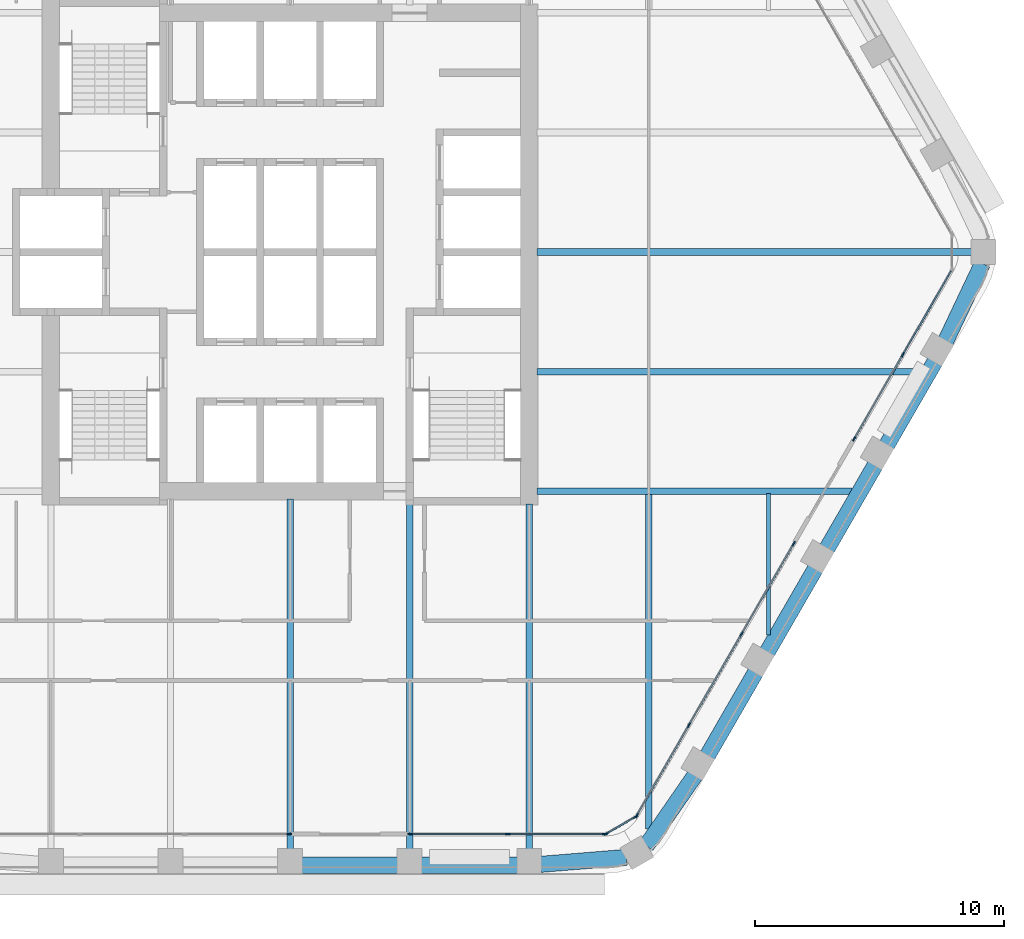
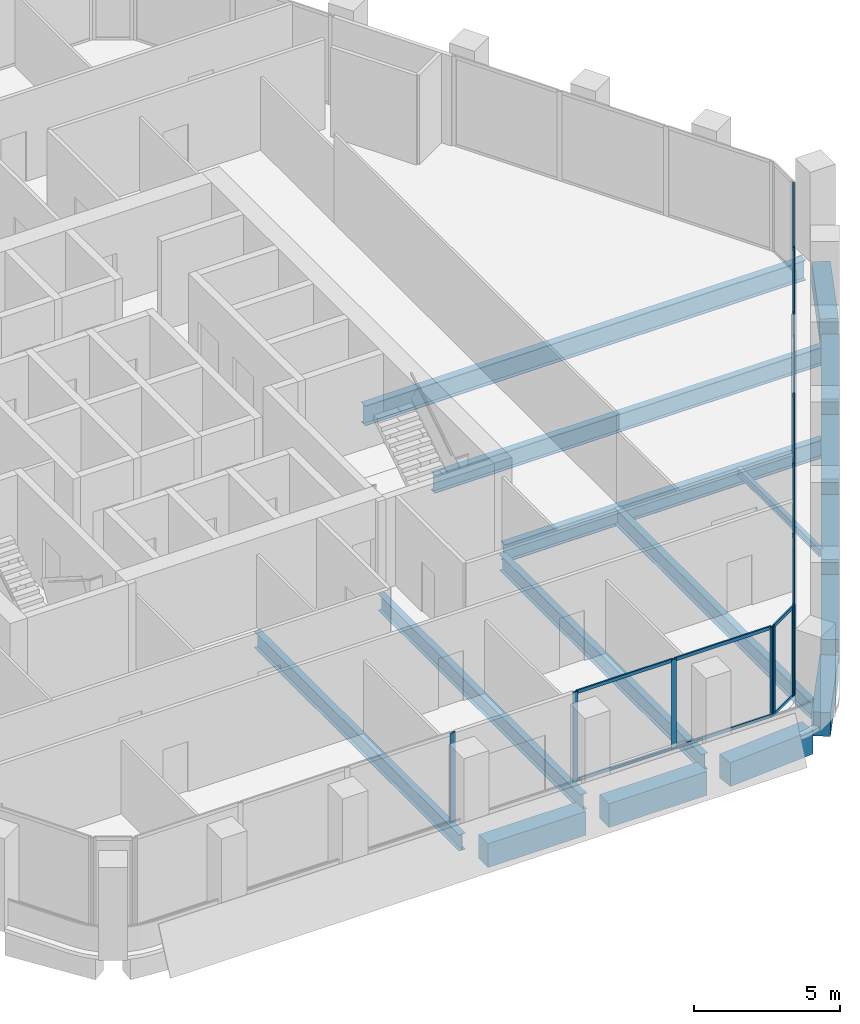
# One storey, part 4 of 18: 28 members, 17 beams, 5 elements without a shape of their own.
"""IFC4 building model written with IfcOpenShell, lengths in metres."""

from ifc_helpers import new_model, si_unit, direction, frame, origin, origin_2d, place, context, subcontext, project, spatial, rectangle, i_section, extrude, material, material_profile, profile_set, type_object, element, aggregate, save


model = new_model("IFC4")

# Units and contexts
model_context = context("Model", 3, precision=1e-05, world=origin(), true_north=direction((0.0, 1.0)))
body_context = subcontext(model_context, "Body", "Model", "MODEL_VIEW")
ifc_project = project(units=[si_unit("LENGTHUNIT", "METRE"), si_unit("AREAUNIT", "SQUARE_METRE"), si_unit("VOLUMEUNIT", "CUBIC_METRE"), si_unit("PLANEANGLEUNIT", "RADIAN"), si_unit("MASSUNIT", "GRAM", prefix="KILO")], contexts=[model_context])

# Site, building, storey
site_placement = place(None, origin())
site = spatial("IfcSite", under=ifc_project, at=site_placement, CompositionType="ELEMENT")
building_placement = place(site_placement, origin())
building = spatial("IfcBuilding", under=site, at=building_placement, Name="Kolab Exchange Tower", CompositionType="ELEMENT")
storey_placement = place(building_placement, frame((0.0, 0.0, 150.5)))
storey = spatial("IfcBuildingStorey", under=building, at=storey_placement, Name="L30", CompositionType="ELEMENT", Elevation=150.5)

# Beams
ifc_material_1 = material(Name="Steel S355", Category="steel")
ifc_material_profile_1 = material_profile(ifc_material_1, i_section(OverallWidth=0.1650390625, OverallDepth=0.31005859375, WebThickness=0.005859375, FlangeThickness=0.009765625, at=origin_2d()), Name="W310X39")
ifc_profile_set_1 = profile_set([ifc_material_profile_1], Name="Steel S355")
beam_type_1 = type_object("IfcBeamType", Name="FLOOR BEAM W310X39", PredefinedType="BEAM", material=ifc_profile_set_1)
beam_1_placement = place(storey_placement, frame((19.199951171875, -15.36767578125, -0.304931640625), z_axis=(0.0, 1.0, 0.0), x_axis=(-1.0, 0.0, 0.0)))
element("IfcBeam", 1, at=beam_1_placement, inside=storey, type_object=beam_type_1, Name="beam/L30/fr/027", PredefinedType="BEAM", context=body_context, shape_type="SweptSolid", body=[
    extrude(i_section(OverallWidth=0.1650390625, OverallDepth=0.31005859375, WebThickness=0.005859375, FlangeThickness=0.009765625, at=origin_2d()), origin(), (0.0, 0.0, 1.0), 5.674072265625),
])
ifc_material_profile_2 = material_profile(ifc_material_1, i_section(OverallWidth=0.25390625, OverallDepth=0.68408203125, WebThickness=0.012451171875, FlangeThickness=0.018798828125, at=origin_2d()), Name="W690X140")
ifc_profile_set_2 = profile_set([ifc_material_profile_2], Name="Steel S355")
beam_type_2 = type_object("IfcBeamType", Name="FLOOR BEAM W690X140", PredefinedType="BEAM", material=ifc_profile_set_2)
beam_2_placement = place(storey_placement, frame((0.0, -23.9814453125, -0.491943359375), z_axis=(0.0, 1.0, 0.0), x_axis=(-1.0, 0.0, 0.0)))
element("IfcBeam", 2, at=beam_2_placement, inside=storey, type_object=beam_type_2, Name="beam/L30/fr/016", PredefinedType="BEAM", context=body_context, shape_type="SweptSolid", body=[
    extrude(i_section(OverallWidth=0.25390625, OverallDepth=0.68408203125, WebThickness=0.012451171875, FlangeThickness=0.018798828125, at=origin_2d()), origin(), (0.0, 0.0, 1.0), 14.071533203125),
])
for number, where, z_axis, x_axis, name in (
    (3, (4.800048828125, -23.9814453125, -0.491943359375), (0.0, 1.0, 0.0), (-1.0, 0.0, 0.0), "beam/L30/fr/018"),
    (4, (9.60009765625, -23.9814453125, -0.491943359375), (0.0, 1.0, 0.0), (-1.0, 0.0, 0.0), "beam/L30/fr/020"),
):
    element("IfcBeam", number, at=place(storey_placement, frame(where, z_axis=z_axis, x_axis=x_axis)), inside=storey, type_object=beam_type_2, Name=name, PredefinedType="BEAM", context=body_context, shape_type="SweptSolid", body=[
        extrude(i_section(OverallWidth=0.25390625, OverallDepth=0.68408203125, WebThickness=0.012451171875, FlangeThickness=0.018798828125, at=origin_2d()), origin(), (0.0, 0.0, 1.0), 13.871337890625),
    ])
beam_3_placement = place(storey_placement, frame((14.39990234375, -23.15576171875, -0.491943359375), z_axis=(0.0, 1.0, 0.0), x_axis=(-1.0, 0.0, 0.0)))
element("IfcBeam", 5, at=beam_3_placement, inside=storey, type_object=beam_type_2, Name="beam/L30/fr/025", PredefinedType="BEAM", context=body_context, shape_type="SweptSolid", body=[
    extrude(i_section(OverallWidth=0.25390625, OverallDepth=0.68408203125, WebThickness=0.012451171875, FlangeThickness=0.018798828125, at=origin_2d()), origin(), (0.0, 0.0, 1.0), 13.462158203125),
])
ifc_material_profile_3 = material_profile(ifc_material_1, i_section(OverallWidth=0.26708984375, OverallDepth=0.761962890625, WebThickness=0.014404296875, FlangeThickness=0.021484375, at=origin_2d()), Name="W760X173")
ifc_profile_set_3 = profile_set([ifc_material_profile_3], Name="Steel S355")
beam_type_3 = type_object("IfcBeamType", Name="FLOOR BEAM W760X173", PredefinedType="BEAM", material=ifc_profile_set_3)
beam_4_placement = place(storey_placement, frame((9.909912109375, -4.800048828125, -0.531005859375), z_axis=(1.0, 0.0, 0.0), x_axis=(0.0, 1.0, 0.0)))
element("IfcBeam", 6, at=beam_4_placement, inside=storey, type_object=beam_type_3, Name="beam/L30/fr/022", PredefinedType="BEAM", context=body_context, shape_type="SweptSolid", body=[
    extrude(i_section(OverallWidth=0.26708984375, OverallDepth=0.761962890625, WebThickness=0.014404296875, FlangeThickness=0.021484375, at=origin_2d()), origin(), (0.0, 0.0, 1.0), 15.408203125),
])
ifc_material_profile_4 = material_profile(ifc_material_1, i_section(OverallWidth=0.2919921875, OverallDepth=0.840087890625, WebThickness=0.0146484375, FlangeThickness=0.021728515625, at=origin_2d()), Name="W840X193")
ifc_profile_set_4 = profile_set([ifc_material_profile_4], Name="Steel S355")
beam_type_4 = type_object("IfcBeamType", Name="FLOOR BEAM W840X193", PredefinedType="BEAM", material=ifc_profile_set_4)
beam_5_placement = place(storey_placement, frame((9.909912109375, 0.0, -0.570068359375), z_axis=(1.0, 0.0, 0.0), x_axis=(0.0, 1.0, 0.0)))
element("IfcBeam", 7, at=beam_5_placement, inside=storey, type_object=beam_type_4, Name="beam/L30/fr/023", PredefinedType="BEAM", context=body_context, shape_type="SweptSolid", body=[
    extrude(i_section(OverallWidth=0.2919921875, OverallDepth=0.840087890625, WebThickness=0.0146484375, FlangeThickness=0.021728515625, at=origin_2d()), origin(), (0.0, 0.0, 1.0), 17.466064453125),
])
ifc_material_profile_5 = material_profile(ifc_material_1, i_section(OverallWidth=0.26708984375, OverallDepth=0.761962890625, WebThickness=0.014404296875, FlangeThickness=0.021484375, at=origin_2d()), Name="W760X173")
ifc_profile_set_5 = profile_set([ifc_material_profile_5], Name="Steel S355")
beam_type_5 = type_object("IfcBeamType", Name="FLOOR GIRDER W760X173", PredefinedType="BEAM", material=ifc_profile_set_5)
beam_6_placement = place(storey_placement, frame((9.909912109375, -9.60009765625, -0.531005859375), z_axis=(1.0, 0.0, 0.0), x_axis=(0.0, 1.0, 0.0)))
element("IfcBeam", 8, at=beam_6_placement, inside=storey, type_object=beam_type_5, Name="beam/L30/gd/002", PredefinedType="BEAM", context=body_context, shape_type="SweptSolid", body=[
    extrude(i_section(OverallWidth=0.26708984375, OverallDepth=0.761962890625, WebThickness=0.014404296875, FlangeThickness=0.021484375, at=origin_2d()), origin(), (0.0, 0.0, 1.0), 12.636962890625),
])
ifc_material_2 = material(Name="Concrete C60/75", Category="concrete")
ifc_material_profile_6 = material_profile(ifc_material_2, rectangle(XDim=0.64990234375, YDim=1.0, at=origin_2d()), Name="RC650X1000")
ifc_profile_set_6 = profile_set([ifc_material_profile_6], Name="Concrete C60/75")
beam_type_6 = type_object("IfcBeamType", Name="SPANDREL BEAM 650X1000 C60/75", PredefinedType="BEAM", material=ifc_profile_set_6)
beam_7_placement = place(storey_placement, frame((27.791259765625, -0.4638671875, -0.64990234375), z_axis=(-0.428177731975, -0.903694544545, 0.0), x_axis=(0.903694544545, -0.428177731975, 0.0)))
element("IfcBeam", 9, at=beam_7_placement, inside=storey, type_object=beam_type_6, Name="beam/L30/sp/F3-01", PredefinedType="BEAM", context=body_context, shape_type="SweptSolid", body=[
    extrude(rectangle(XDim=0.64990234375, YDim=1.0, at=origin_2d()), origin(), (0.0, 0.0, 1.0), 3.445068359375),
])
for number, where, z_axis, x_axis, name in (
    (10, (25.888427734375, -4.392822265625, -0.64990234375), (-0.499996613652, -0.866027358884, 0.0), (0.866027358884, -0.499996613652, 0.0), "beam/L30/sp/F3-02"),
    (11, (23.488525390625, -8.5498046875, -0.64990234375), (-0.499996613652, -0.866027358884, 0.0), (0.866027358884, -0.499996613652, 0.0), "beam/L30/sp/F3-03"),
):
    element("IfcBeam", number, at=place(storey_placement, frame(where, z_axis=z_axis, x_axis=x_axis)), inside=storey, type_object=beam_type_6, Name=name, PredefinedType="BEAM", context=body_context, shape_type="SweptSolid", body=[
        extrude(rectangle(XDim=0.64990234375, YDim=1.0, at=origin_2d()), origin(), (0.0, 0.0, 1.0), 3.8798828125),
    ])
beam_8_placement = place(storey_placement, frame((21.088623046875, -12.70654296875, -0.64990234375), z_axis=(-0.50001655835, -0.866015843605, 0.0), x_axis=(0.866015843605, -0.50001655835, 0.0)))
element("IfcBeam", 12, at=beam_8_placement, inside=storey, type_object=beam_type_6, Name="beam/L30/sp/F3-04", PredefinedType="BEAM", context=body_context, shape_type="SweptSolid", body=[
    extrude(rectangle(XDim=0.64990234375, YDim=1.0, at=origin_2d()), origin(), (0.0, 0.0, 1.0), 3.880126953125),
])
beam_9_placement = place(storey_placement, frame((18.6884765625, -16.863525390625, -0.64990234375), z_axis=(-0.499996613652, -0.866027358884, 0.0), x_axis=(0.866027358884, -0.499996613652, 0.0)))
element("IfcBeam", 13, at=beam_9_placement, inside=storey, type_object=beam_type_6, Name="beam/L30/sp/F3-05", PredefinedType="BEAM", context=body_context, shape_type="SweptSolid", body=[
    extrude(rectangle(XDim=0.64990234375, YDim=1.0, at=origin_2d()), origin(), (0.0, 0.0, 1.0), 3.8798828125),
])
for number, where, z_axis, x_axis, name in (
    (14, (16.256103515625, -21.001953125, -0.64990234375), (-0.568572281073, -0.822633309073, 0.0), (0.822633309073, -0.568572281073, 0.0), "beam/L30/sp/F3-06"),
    (15, (13.493896484375, -24.2998046875, -0.64990234375), (-0.996708497182, -0.081068931445, 0.0), (0.081068931445, -0.996708497182, 0.0), "beam/L30/sp/F4-01"),
):
    element("IfcBeam", number, at=place(storey_placement, frame(where, z_axis=z_axis, x_axis=x_axis)), inside=storey, type_object=beam_type_6, Name=name, PredefinedType="BEAM", context=body_context, shape_type="SweptSolid", body=[
        extrude(rectangle(XDim=0.64990234375, YDim=1.0, at=origin_2d()), origin(), (0.0, 0.0, 1.0), 3.445068359375),
    ])
beam_10_placement = place(storey_placement, frame((9.139892578125, -24.616455078125, -0.64990234375), z_axis=(-1.0, 0.0, 0.0), x_axis=(0.0, -1.0, 0.0)))
element("IfcBeam", 16, at=beam_10_placement, inside=storey, type_object=beam_type_6, Name="beam/L30/sp/F4-02", PredefinedType="BEAM", context=body_context, shape_type="SweptSolid", body=[
    extrude(rectangle(XDim=0.64990234375, YDim=1.0, at=origin_2d()), origin(), (0.0, 0.0, 1.0), 3.8798828125),
])
beam_11_placement = place(storey_placement, frame((4.340087890625, -24.616455078125, -0.64990234375), z_axis=(-1.0, 0.0, 0.0), x_axis=(0.0, -1.0, 0.0)))
element("IfcBeam", 17, at=beam_11_placement, inside=storey, type_object=beam_type_6, Name="beam/L30/sp/F4-03", PredefinedType="BEAM", context=body_context, shape_type="SweptSolid", body=[
    extrude(rectangle(XDim=0.64990234375, YDim=1.0, at=origin_2d()), origin(), (0.0, 0.0, 1.0), 3.880126953125),
])

# Curtain wall, members
ifc_material_3 = material(Name="Aluminium EN AW-6063 T6", Category="aluminium")
curtain_wall_type = type_object("IfcCurtainWallType", Name="UNITISED UPPER MID ZONE CURTAIN WALL", PredefinedType="NOTDEFINED", material=ifc_material_3)
curtain_wall_1_placement = place(storey_placement, origin())
curtain_wall_1 = element("IfcCurtainWall", 18, at=curtain_wall_1_placement, inside=storey, type_object=curtain_wall_type, Name="cw/L30/F3-1", PredefinedType="NOTDEFINED")
ifc_material_profile_7 = material_profile(ifc_material_3, rectangle(XDim=0.06005859375, YDim=0.199951171875, at=origin_2d()), Name="RECT 60X200")
ifc_profile_set_7 = profile_set([ifc_material_profile_7], Name="Aluminium EN AW-6063 T6")
member_type_1 = type_object("IfcMemberType", Name="UNITISED UPPER MID ZONE MULLION 60 X 200", PredefinedType="MULLION", material=ifc_profile_set_7)
member_1_placement = place(storey_placement, frame((24.5986328125, -4.116943359375, 0.0), z_axis=(0.0, 0.0, 1.0), x_axis=(0.866025440524, -0.499999936366, 0.0)))
member_1 = element("IfcMember", 19, at=member_1_placement, type_object=member_type_1, Name="CW3 mullion 2", PredefinedType="MULLION", context=body_context, shape_type="SweptSolid", body=[
    extrude(rectangle(XDim=0.06005859375, YDim=0.199951171875, at=origin_2d()), origin(), (0.0, 0.0, 1.0), 3.75),
])
member_2_placement = place(storey_placement, frame((22.646728515625, -7.497802734375, 0.0), z_axis=(0.0, 0.0, 1.0), x_axis=(0.866025440524, -0.499999936366, 0.0)))
member_2 = element("IfcMember", 20, at=member_2_placement, type_object=member_type_1, Name="CW3 mullion 3", PredefinedType="MULLION", context=body_context, shape_type="SweptSolid", body=[
    extrude(rectangle(XDim=0.06005859375, YDim=0.199951171875, at=origin_2d()), origin(), (0.0, 0.0, 1.0), 3.75),
])

curtain_wall_2_placement = place(storey_placement, origin())
curtain_wall_2 = element("IfcCurtainWall", 21, at=curtain_wall_2_placement, inside=storey, type_object=curtain_wall_type, Name="cw/L30/F3-2", PredefinedType="NOTDEFINED")
member_3_placement = place(storey_placement, frame((20.216796875, -11.706787109375, 0.0), z_axis=(0.0, 0.0, 1.0), x_axis=(0.866025393644, -0.500000017564, 0.0)))
member_3 = element("IfcMember", 22, at=member_3_placement, type_object=member_type_1, Name="CW3 mullion 1", PredefinedType="MULLION", context=body_context, shape_type="SweptSolid", body=[
    extrude(rectangle(XDim=0.06005859375, YDim=0.199951171875, at=origin_2d()), origin(), (0.0, 0.0, 1.0), 3.75),
])
member_4_placement = place(storey_placement, frame((18.120361328125, -15.337646484375, 0.0), z_axis=(0.0, 0.0, 1.0), x_axis=(0.866025393644, -0.500000017564, 0.0)))
member_4 = element("IfcMember", 23, at=member_4_placement, type_object=member_type_1, Name="CW3 mullion 2", PredefinedType="MULLION", context=body_context, shape_type="SweptSolid", body=[
    extrude(rectangle(XDim=0.06005859375, YDim=0.199951171875, at=origin_2d()), origin(), (0.0, 0.0, 1.0), 3.75),
])
member_5_placement = place(storey_placement, frame((16.009033203125, -18.99462890625, 0.0), z_axis=(0.0, 0.0, 1.0), x_axis=(0.866025393644, -0.500000017564, 0.0)))
member_5 = element("IfcMember", 24, at=member_5_placement, type_object=member_type_1, Name="CW3 mullion 3", PredefinedType="MULLION", context=body_context, shape_type="SweptSolid", body=[
    extrude(rectangle(XDim=0.06005859375, YDim=0.199951171875, at=origin_2d()), origin(), (0.0, 0.0, 1.0), 3.75),
])
member_6_placement = place(storey_placement, frame((13.91259765625, -22.62548828125, 0.0), z_axis=(0.0, 0.0, 1.0), x_axis=(0.866025393644, -0.500000017564, 0.0)))
member_6 = element("IfcMember", 25, at=member_6_placement, type_object=member_type_1, Name="CW3 mullion 4", PredefinedType="MULLION", context=body_context, shape_type="SweptSolid", body=[
    extrude(rectangle(XDim=0.06005859375, YDim=0.199951171875, at=origin_2d()), origin(), (0.0, 0.0, 1.0), 3.75),
])

curtain_wall_3_placement = place(storey_placement, origin())
curtain_wall_3 = element("IfcCurtainWall", 26, at=curtain_wall_3_placement, inside=storey, type_object=curtain_wall_type, Name="cw/L30/F4-1", PredefinedType="NOTDEFINED")
member_7_placement = place(storey_placement, frame((12.637939453125, -23.361572265625, 0.0), z_axis=(0.0, 0.0, 1.0), x_axis=(0.0, -1.0, 0.0)))
member_7 = element("IfcMember", 27, at=member_7_placement, type_object=member_type_1, Name="CW3 mullion 1", PredefinedType="MULLION", context=body_context, shape_type="SweptSolid", body=[
    extrude(rectangle(XDim=0.06005859375, YDim=0.199951171875, at=origin_2d()), origin(), (0.0, 0.0, 1.0), 3.75),
])
member_8_placement = place(storey_placement, frame((8.73388671875, -23.361572265625, 0.0), z_axis=(0.0, 0.0, 1.0), x_axis=(0.0, -1.0, 0.0)))
member_8 = element("IfcMember", 28, at=member_8_placement, type_object=member_type_1, Name="CW3 mullion 2", PredefinedType="MULLION", context=body_context, shape_type="SweptSolid", body=[
    extrude(rectangle(XDim=0.06005859375, YDim=0.199951171875, at=origin_2d()), origin(), (0.0, 0.0, 1.0), 3.75),
])
member_9_placement = place(storey_placement, frame((4.830078125, -23.361572265625, 0.0), z_axis=(0.0, 0.0, 1.0), x_axis=(0.0, -1.0, 0.0)))
member_9 = element("IfcMember", 29, at=member_9_placement, type_object=member_type_1, Name="CW3 mullion 3", PredefinedType="MULLION", context=body_context, shape_type="SweptSolid", body=[
    extrude(rectangle(XDim=0.06005859375, YDim=0.199951171875, at=origin_2d()), origin(), (0.0, 0.0, 1.0), 3.75),
])

# Curtain wall, member
curtain_wall_4_placement = place(storey_placement, origin())
curtain_wall_4 = element("IfcCurtainWall", 30, at=curtain_wall_4_placement, inside=storey, type_object=curtain_wall_type, Name="cw/L30/F4-2", PredefinedType="NOTDEFINED")
member_10_placement = place(storey_placement, frame((-0.030029296875, -23.361572265625, 0.0), z_axis=(0.0, 0.0, 1.0), x_axis=(0.0, -1.0, 0.0)))
member_10 = element("IfcMember", 31, at=member_10_placement, type_object=member_type_1, Name="CW3 mullion 1", PredefinedType="MULLION", context=body_context, shape_type="SweptSolid", body=[
    extrude(rectangle(XDim=0.06005859375, YDim=0.199951171875, at=origin_2d()), origin(), (0.0, 0.0, 1.0), 3.75),
])
aggregate(curtain_wall_4, [member_10])

# Curtain wall, members
curtain_wall_5_placement = place(storey_placement, origin())
curtain_wall_5 = element("IfcCurtainWall", 32, at=curtain_wall_5_placement, inside=storey, type_object=curtain_wall_type, Name="cw/L30/F3F4-corner", PredefinedType="NOTDEFINED")
member_11_placement = place(storey_placement, frame((13.871826171875, -22.66650390625, 0.0), z_axis=(0.0, 0.0, 1.0), x_axis=(0.50000002237, -0.866025390869, 0.0)))
member_11 = element("IfcMember", 33, at=member_11_placement, type_object=member_type_1, Name="CW3 mullion 1", PredefinedType="MULLION", context=body_context, shape_type="SweptSolid", body=[
    extrude(rectangle(XDim=0.06005859375, YDim=0.199951171875, at=origin_2d()), origin(), (0.0, 0.0, 1.0), 3.75),
])
member_12_placement = place(storey_placement, frame((12.69384765625, -23.346435546875, 0.0), z_axis=(0.0, 0.0, 1.0), x_axis=(0.50000002237, -0.866025390869, 0.0)))
member_12 = element("IfcMember", 34, at=member_12_placement, type_object=member_type_1, Name="CW3 mullion 2", PredefinedType="MULLION", context=body_context, shape_type="SweptSolid", body=[
    extrude(rectangle(XDim=0.06005859375, YDim=0.199951171875, at=origin_2d()), origin(), (0.0, 0.0, 1.0), 3.75),
])

# Member
ifc_material_profile_8 = material_profile(ifc_material_3, rectangle(XDim=0.06005859375, YDim=0.139892578125, at=origin_2d()), Name="RECT 60X140")
ifc_profile_set_8 = profile_set([ifc_material_profile_8], Name="Aluminium EN AW-6063 T6")
member_type_2 = type_object("IfcMemberType", Name="UNITISED UPPER MID ZONE TRANSOM 60 X 140", PredefinedType="USERDEFINED", material=ifc_profile_set_8)
member_13_placement = place(storey_placement, frame((26.53564453125, -0.761962890625, 0.030029296875), z_axis=(-0.499991857942, -0.866030104553, 0.0), x_axis=(0.866030104553, -0.499991857942, 0.0)))
member_13 = element("IfcMember", 35, at=member_13_placement, type_object=member_type_2, Name="CW3 transom 1.1", ObjectType="TRANSOM", PredefinedType="USERDEFINED", context=body_context, shape_type="SweptSolid", body=[
    extrude(rectangle(XDim=0.06005859375, YDim=0.139892578125, at=origin_2d()), origin(), (0.0, 0.0, 1.0), 3.84375),
])

member_14_placement = place(storey_placement, frame((26.53564453125, -0.761962890625, 3.719970703125), z_axis=(-0.499991857942, -0.866030104553, 0.0), x_axis=(0.866030104553, -0.499991857942, 0.0)))
member_14 = element("IfcMember", 36, at=member_14_placement, type_object=member_type_2, Name="CW3 transom 1.2", ObjectType="TRANSOM", PredefinedType="USERDEFINED", context=body_context, shape_type="SweptSolid", body=[
    extrude(rectangle(XDim=0.06005859375, YDim=0.139892578125, at=origin_2d()), origin(), (0.0, 0.0, 1.0), 3.84375),
])

member_15_placement = place(storey_placement, frame((24.583740234375, -4.142822265625, 0.030029296875), z_axis=(-0.500011990396, -0.866018481016, 0.0), x_axis=(0.866018481016, -0.500011990396, 0.0)))
member_15 = element("IfcMember", 37, at=member_15_placement, type_object=member_type_2, Name="CW3 transom 2.1", ObjectType="TRANSOM", PredefinedType="USERDEFINED", context=body_context, shape_type="SweptSolid", body=[
    extrude(rectangle(XDim=0.06005859375, YDim=0.139892578125, at=origin_2d()), origin(), (0.0, 0.0, 1.0), 3.84423828125),
])

member_16_placement = place(storey_placement, frame((24.583740234375, -4.142822265625, 3.719970703125), z_axis=(-0.500011990396, -0.866018481016, 0.0), x_axis=(0.866018481016, -0.500011990396, 0.0)))
member_16 = element("IfcMember", 38, at=member_16_placement, type_object=member_type_2, Name="CW3 transom 2.2", ObjectType="TRANSOM", PredefinedType="USERDEFINED", context=body_context, shape_type="SweptSolid", body=[
    extrude(rectangle(XDim=0.06005859375, YDim=0.139892578125, at=origin_2d()), origin(), (0.0, 0.0, 1.0), 3.84423828125),
])

aggregate(curtain_wall_1, [member_1, member_2, member_13, member_14, member_15, member_16])

member_17_placement = place(storey_placement, frame((20.20166015625, -11.732666015625, 0.030029296875), z_axis=(-0.500001996123, -0.866024251319, 0.0), x_axis=(0.866024251319, -0.500001996123, 0.0)))
member_17 = element("IfcMember", 39, at=member_17_placement, type_object=member_type_2, Name="CW3 transom 1.1", ObjectType="TRANSOM", PredefinedType="USERDEFINED", context=body_context, shape_type="SweptSolid", body=[
    extrude(rectangle(XDim=0.06005859375, YDim=0.139892578125, at=origin_2d()), origin(), (0.0, 0.0, 1.0), 4.1328125),
])

member_18_placement = place(storey_placement, frame((20.20166015625, -11.732666015625, 3.719970703125), z_axis=(-0.500001996123, -0.866024251319, 0.0), x_axis=(0.866024251319, -0.500001996123, 0.0)))
member_18 = element("IfcMember", 40, at=member_18_placement, type_object=member_type_2, Name="CW3 transom 1.2", ObjectType="TRANSOM", PredefinedType="USERDEFINED", context=body_context, shape_type="SweptSolid", body=[
    extrude(rectangle(XDim=0.06005859375, YDim=0.139892578125, at=origin_2d()), origin(), (0.0, 0.0, 1.0), 4.1328125),
])

member_19_placement = place(storey_placement, frame((18.10546875, -15.36376953125, 0.030029296875), z_axis=(-0.500037208726, -0.86600392025, 0.0), x_axis=(0.86600392025, -0.500037208726, 0.0)))
member_19 = element("IfcMember", 41, at=member_19_placement, type_object=member_type_2, Name="CW3 transom 2.1", ObjectType="TRANSOM", PredefinedType="USERDEFINED", context=body_context, shape_type="SweptSolid", body=[
    extrude(rectangle(XDim=0.06005859375, YDim=0.139892578125, at=origin_2d()), origin(), (0.0, 0.0, 1.0), 4.162841796875),
])

member_20_placement = place(storey_placement, frame((18.10546875, -15.36376953125, 3.719970703125), z_axis=(-0.500037208726, -0.86600392025, 0.0), x_axis=(0.86600392025, -0.500037208726, 0.0)))
member_20 = element("IfcMember", 42, at=member_20_placement, type_object=member_type_2, Name="CW3 transom 2.2", ObjectType="TRANSOM", PredefinedType="USERDEFINED", context=body_context, shape_type="SweptSolid", body=[
    extrude(rectangle(XDim=0.06005859375, YDim=0.139892578125, at=origin_2d()), origin(), (0.0, 0.0, 1.0), 4.162841796875),
])

member_21_placement = place(storey_placement, frame((15.994140625, -19.0205078125, 0.030029296875), z_axis=(-0.500001996123, -0.866024251319, 0.0), x_axis=(0.866024251319, -0.500001996123, 0.0)))
member_21 = element("IfcMember", 43, at=member_21_placement, type_object=member_type_2, Name="CW3 transom 3.1", ObjectType="TRANSOM", PredefinedType="USERDEFINED", context=body_context, shape_type="SweptSolid", body=[
    extrude(rectangle(XDim=0.06005859375, YDim=0.139892578125, at=origin_2d()), origin(), (0.0, 0.0, 1.0), 4.1328125),
])

member_22_placement = place(storey_placement, frame((15.994140625, -19.0205078125, 3.719970703125), z_axis=(-0.500001996123, -0.866024251319, 0.0), x_axis=(0.866024251319, -0.500001996123, 0.0)))
member_22 = element("IfcMember", 44, at=member_22_placement, type_object=member_type_2, Name="CW3 transom 3.2", ObjectType="TRANSOM", PredefinedType="USERDEFINED", context=body_context, shape_type="SweptSolid", body=[
    extrude(rectangle(XDim=0.06005859375, YDim=0.139892578125, at=origin_2d()), origin(), (0.0, 0.0, 1.0), 4.1328125),
])

aggregate(curtain_wall_2, [member_3, member_4, member_5, member_6, member_17, member_18, member_19, member_20, member_21, member_22])

member_23_placement = place(storey_placement, frame((12.60791015625, -23.361572265625, 0.030029296875), z_axis=(-1.0, 0.0, 0.0), x_axis=(0.0, -1.0, 0.0)))
member_23 = element("IfcMember", 45, at=member_23_placement, type_object=member_type_2, Name="CW3 transom 1.1", ObjectType="TRANSOM", PredefinedType="USERDEFINED", context=body_context, shape_type="SweptSolid", body=[
    extrude(rectangle(XDim=0.06005859375, YDim=0.139892578125, at=origin_2d()), origin(), (0.0, 0.0, 1.0), 3.843994140625),
])

member_24_placement = place(storey_placement, frame((12.60791015625, -23.361572265625, 3.719970703125), z_axis=(-1.0, 0.0, 0.0), x_axis=(0.0, -1.0, 0.0)))
member_24 = element("IfcMember", 46, at=member_24_placement, type_object=member_type_2, Name="CW3 transom 1.2", ObjectType="TRANSOM", PredefinedType="USERDEFINED", context=body_context, shape_type="SweptSolid", body=[
    extrude(rectangle(XDim=0.06005859375, YDim=0.139892578125, at=origin_2d()), origin(), (0.0, 0.0, 1.0), 3.843994140625),
])

member_25_placement = place(storey_placement, frame((8.703857421875, -23.361572265625, 0.030029296875), z_axis=(-1.0, 0.0, 0.0), x_axis=(0.0, -1.0, 0.0)))
member_25 = element("IfcMember", 47, at=member_25_placement, type_object=member_type_2, Name="CW3 transom 2.1", ObjectType="TRANSOM", PredefinedType="USERDEFINED", context=body_context, shape_type="SweptSolid", body=[
    extrude(rectangle(XDim=0.06005859375, YDim=0.139892578125, at=origin_2d()), origin(), (0.0, 0.0, 1.0), 3.84375),
])

member_26_placement = place(storey_placement, frame((8.703857421875, -23.361572265625, 3.719970703125), z_axis=(-1.0, 0.0, 0.0), x_axis=(0.0, -1.0, 0.0)))
member_26 = element("IfcMember", 48, at=member_26_placement, type_object=member_type_2, Name="CW3 transom 2.2", ObjectType="TRANSOM", PredefinedType="USERDEFINED", context=body_context, shape_type="SweptSolid", body=[
    extrude(rectangle(XDim=0.06005859375, YDim=0.139892578125, at=origin_2d()), origin(), (0.0, 0.0, 1.0), 3.84375),
])

aggregate(curtain_wall_3, [member_7, member_8, member_9, member_23, member_24, member_25, member_26])

member_27_placement = place(storey_placement, frame((13.845703125, -22.681640625, 0.030029296875), z_axis=(-0.86603858612, -0.49997716683, 0.0), x_axis=(0.49997716683, -0.86603858612, 0.0)))
member_27 = element("IfcMember", 49, at=member_27_placement, type_object=member_type_2, Name="CW3 transom 1.1", ObjectType="TRANSOM", PredefinedType="USERDEFINED", context=body_context, shape_type="SweptSolid", body=[
    extrude(rectangle(XDim=0.06005859375, YDim=0.139892578125, at=origin_2d()), origin(), (0.0, 0.0, 1.0), 1.2998046875),
])

member_28_placement = place(storey_placement, frame((13.845703125, -22.681640625, 3.719970703125), z_axis=(-0.86603858612, -0.49997716683, 0.0), x_axis=(0.49997716683, -0.86603858612, 0.0)))
member_28 = element("IfcMember", 50, at=member_28_placement, type_object=member_type_2, Name="CW3 transom 1.2", ObjectType="TRANSOM", PredefinedType="USERDEFINED", context=body_context, shape_type="SweptSolid", body=[
    extrude(rectangle(XDim=0.06005859375, YDim=0.139892578125, at=origin_2d()), origin(), (0.0, 0.0, 1.0), 1.2998046875),
])

aggregate(curtain_wall_5, [member_11, member_12, member_27, member_28])

save(model, "model.ifc")
